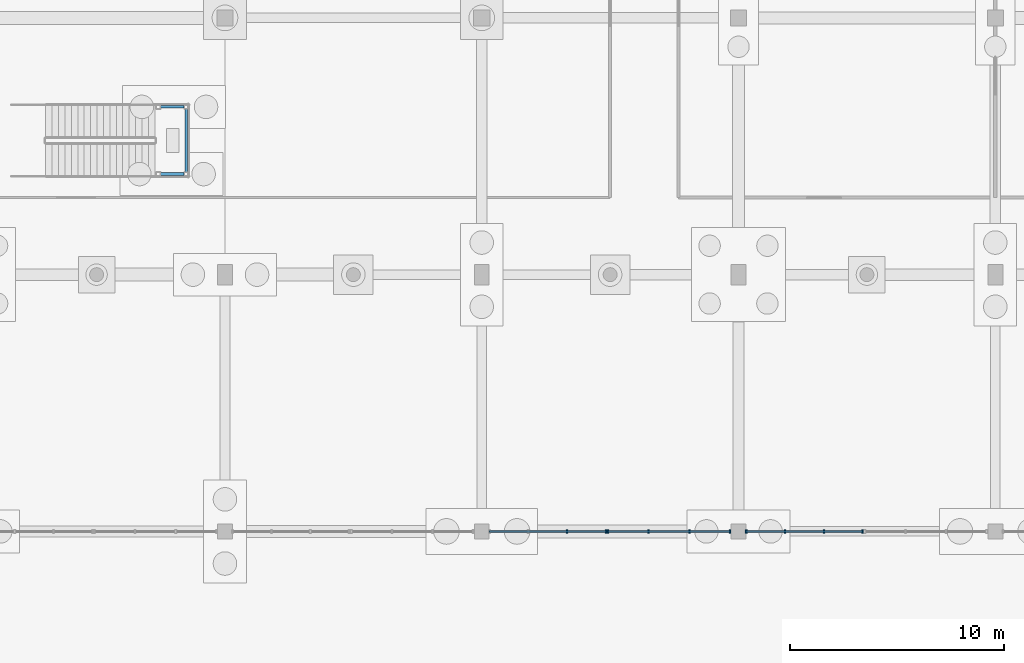
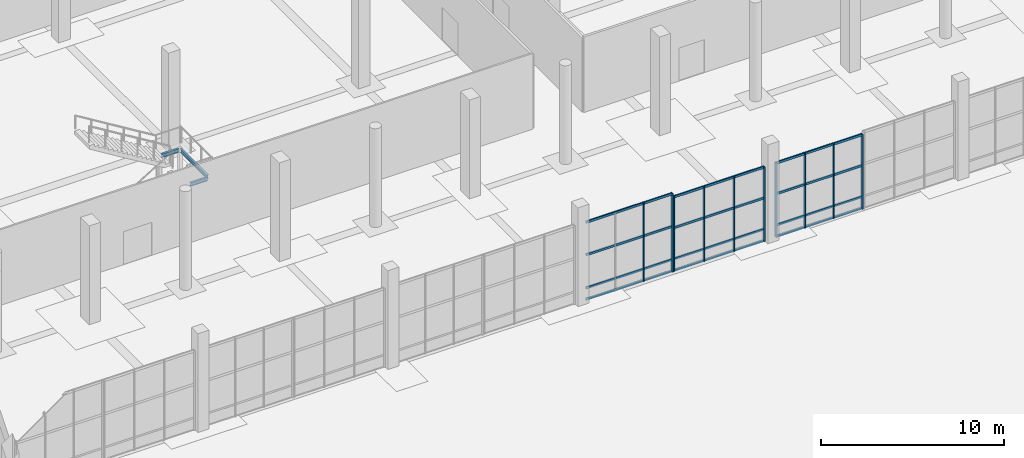
# One storey, part 48 of 117: 22 members, 3 beams, 3 elements without a shape of their own.
"""IFC4 building model written with IfcOpenShell, lengths in metres."""

from ifc_helpers import new_model, si_unit, direction, frame, origin, origin_2d, place, context, subcontext, project, spatial, rectangle, i_section, extrude, material, material_profile, profile_set, type_object, element, aggregate, save


model = new_model("IFC4")

# Units and contexts
model_context = context("Model", 3, precision=1e-05, world=origin(), true_north=direction((0.0, 1.0)))
body_context = subcontext(model_context, "Body", "Model", "MODEL_VIEW")
ifc_project = project(units=[si_unit("LENGTHUNIT", "METRE"), si_unit("AREAUNIT", "SQUARE_METRE"), si_unit("VOLUMEUNIT", "CUBIC_METRE"), si_unit("PLANEANGLEUNIT", "RADIAN"), si_unit("MASSUNIT", "GRAM", prefix="KILO")], contexts=[model_context])

# Site, building, storey
site_placement = place(None, origin())
site = spatial("IfcSite", under=ifc_project, at=site_placement, CompositionType="ELEMENT")
building_placement = place(site_placement, origin())
building = spatial("IfcBuilding", under=site, at=building_placement, Name="Kamomehara Wholesale Market", CompositionType="ELEMENT")
storey_placement = place(building_placement, origin())
storey = spatial("IfcBuildingStorey", under=building, at=storey_placement, Name="L00", CompositionType="ELEMENT", Elevation=0.0)

# Beams
ifc_material_1 = material(Name="Steel SN400B", Category="steel")
ifc_material_profile_1 = material_profile(ifc_material_1, i_section(OverallWidth=0.125, OverallDepth=0.25, WebThickness=0.006103515625, FlangeThickness=0.009033203125, FilletRadius=0.008056640625, at=origin_2d()), Name="H-250x125x6x9")
ifc_profile_set_1 = profile_set([ifc_material_profile_1], Name="Steel SN400B")
beam_type = type_object("IfcBeamType", Name="BM-ST-H250", PredefinedType="JOIST", material=ifc_profile_set_1)
beam_placement = place(storey_placement, frame((94.18994140625, 112.800048828125, 2.97509765625), z_axis=(0.0, 1.0, 0.0), x_axis=(-1.0, 0.0, 0.0)))
element("IfcBeam", 1, at=beam_placement, inside=storey, type_object=beam_type, Name="Beam SJ-06 L00", PredefinedType="JOIST", context=body_context, shape_type="SweptSolid", body=[
    extrude(i_section(OverallWidth=0.125, OverallDepth=0.25, WebThickness=0.006103515625, FlangeThickness=0.009033203125, FilletRadius=0.008056640625, at=origin_2d()), origin(), (0.0, 0.0, 1.0), 2.93994140625),
])
for number, where, z_axis, x_axis, name in (
    (2, (92.989990234375, 112.699951171875, 2.97509765625), (1.0, 0.0, 0.0), (0.0, 1.0, 0.0), "Beam SJ-06 L00"),
    (3, (92.989990234375, 115.840087890625, 2.97509765625), (1.0, 0.0, 0.0), (0.0, 1.0, 0.0), "Beam SJ-06 L00"),
):
    element("IfcBeam", number, at=place(storey_placement, frame(where, z_axis=z_axis, x_axis=x_axis)), inside=storey, type_object=beam_type, Name=name, PredefinedType="JOIST", context=body_context, shape_type="SweptSolid", body=[
        extrude(i_section(OverallWidth=0.125, OverallDepth=0.25, WebThickness=0.006103515625, FlangeThickness=0.009033203125, FilletRadius=0.008056640625, at=origin_2d()), origin(), (0.0, 0.0, 1.0), 1.10009765625),
    ])

# Curtain wall, members
ifc_material_2 = material(Name="Anodised aluminium 6063-T5", Category="aluminium")
curtain_wall_type = type_object("IfcCurtainWallType", Name="CW-UN-03", PredefinedType="NOTDEFINED", material=ifc_material_2)
curtain_wall_1_placement = place(storey_placement, origin())
curtain_wall_1 = element("IfcCurtainWall", 4, at=curtain_wall_1_placement, inside=storey, type_object=curtain_wall_type, Name="Unitised curtain wall CW-021", PredefinedType="NOTDEFINED")
ifc_material_3 = material(Name="Anodised aluminium 6063-T5", Category="aluminium")
ifc_material_profile_2 = material_profile(ifc_material_3, rectangle(XDim=0.074951171875, YDim=0.179931640625, at=origin_2d()), Name="ALU-MUL-75x180")
ifc_profile_set_2 = profile_set([ifc_material_profile_2], Name="Anodised aluminium 6063-T5")
member_type_1 = type_object("IfcMemberType", Name="CW-MUL-180", PredefinedType="MULLION", material=ifc_profile_set_2)
member_1_placement = place(storey_placement, frame((119.60009765625, 96.0, 0.0), z_axis=(0.0, 0.0, 1.0), x_axis=(-1.0, 0.0, 0.0)))
member_1 = element("IfcMember", 5, at=member_1_placement, type_object=member_type_1, Name="Mullion CW-021.0", PredefinedType="MULLION", context=body_context, shape_type="SweptSolid", body=[
    extrude(rectangle(XDim=0.074951171875, YDim=0.179931640625, at=origin_2d()), origin(), (0.0, 0.0, 1.0), 4.97802734375),
])
member_2_placement = place(storey_placement, frame((117.699951171875, 96.0, 0.0), z_axis=(0.0, 0.0, 1.0), x_axis=(-1.0, 0.0, 0.0)))
member_2 = element("IfcMember", 6, at=member_2_placement, type_object=member_type_1, Name="Mullion CW-021.1", PredefinedType="MULLION", context=body_context, shape_type="SweptSolid", body=[
    extrude(rectangle(XDim=0.074951171875, YDim=0.179931640625, at=origin_2d()), origin(), (0.0, 0.0, 1.0), 4.97802734375),
])
member_3_placement = place(storey_placement, frame((115.800048828125, 96.0, 0.0), z_axis=(0.0, 0.0, 1.0), x_axis=(-1.0, 0.0, 0.0)))
member_3 = element("IfcMember", 7, at=member_3_placement, type_object=member_type_1, Name="Mullion CW-021.2", PredefinedType="MULLION", context=body_context, shape_type="SweptSolid", body=[
    extrude(rectangle(XDim=0.074951171875, YDim=0.179931640625, at=origin_2d()), origin(), (0.0, 0.0, 1.0), 4.97802734375),
])
member_4_placement = place(storey_placement, frame((113.89990234375, 96.0, 0.0), z_axis=(0.0, 0.0, 1.0), x_axis=(-1.0, 0.0, 0.0)))
member_4 = element("IfcMember", 8, at=member_4_placement, type_object=member_type_1, Name="Mullion CW-021.3", PredefinedType="MULLION", context=body_context, shape_type="SweptSolid", body=[
    extrude(rectangle(XDim=0.074951171875, YDim=0.179931640625, at=origin_2d()), origin(), (0.0, 0.0, 1.0), 4.97802734375),
])

curtain_wall_2_placement = place(storey_placement, origin())
curtain_wall_2 = element("IfcCurtainWall", 9, at=curtain_wall_2_placement, inside=storey, type_object=curtain_wall_type, Name="Unitised curtain wall CW-022", PredefinedType="NOTDEFINED")
member_5_placement = place(storey_placement, frame((113.800048828125, 96.0, 0.0), z_axis=(0.0, 0.0, 1.0), x_axis=(-1.0, 0.0, 0.0)))
member_5 = element("IfcMember", 10, at=member_5_placement, type_object=member_type_1, Name="Mullion CW-022.0", PredefinedType="MULLION", context=body_context, shape_type="SweptSolid", body=[
    extrude(rectangle(XDim=0.074951171875, YDim=0.179931640625, at=origin_2d()), origin(), (0.0, 0.0, 1.0), 5.22802734375),
])
member_6_placement = place(storey_placement, frame((111.987060546875, 96.0, 0.0), z_axis=(0.0, 0.0, 1.0), x_axis=(-1.0, 0.0, 0.0)))
member_6 = element("IfcMember", 11, at=member_6_placement, type_object=member_type_1, Name="Mullion CW-022.1", PredefinedType="MULLION", context=body_context, shape_type="SweptSolid", body=[
    extrude(rectangle(XDim=0.074951171875, YDim=0.179931640625, at=origin_2d()), origin(), (0.0, 0.0, 1.0), 5.22802734375),
])

curtain_wall_3_placement = place(storey_placement, origin())
curtain_wall_3 = element("IfcCurtainWall", 12, at=curtain_wall_3_placement, inside=storey, type_object=curtain_wall_type, Name="Unitised curtain wall CW-024", PredefinedType="NOTDEFINED")
member_7_placement = place(storey_placement, frame((125.800048828125, 96.0, 0.0), z_axis=(0.0, 0.0, 1.0), x_axis=(-1.0, 0.0, 0.0)))
member_7 = element("IfcMember", 13, at=member_7_placement, type_object=member_type_1, Name="Mullion CW-024.0", PredefinedType="MULLION", context=body_context, shape_type="SweptSolid", body=[
    extrude(rectangle(XDim=0.074951171875, YDim=0.179931640625, at=origin_2d()), origin(), (0.0, 0.0, 1.0), 4.97802734375),
])
member_8_placement = place(storey_placement, frame((123.987060546875, 96.0, 0.0), z_axis=(0.0, 0.0, 1.0), x_axis=(-1.0, 0.0, 0.0)))
member_8 = element("IfcMember", 14, at=member_8_placement, type_object=member_type_1, Name="Mullion CW-024.1", PredefinedType="MULLION", context=body_context, shape_type="SweptSolid", body=[
    extrude(rectangle(XDim=0.074951171875, YDim=0.179931640625, at=origin_2d()), origin(), (0.0, 0.0, 1.0), 4.97802734375),
])
member_9_placement = place(storey_placement, frame((122.173095703125, 96.0, 0.0), z_axis=(0.0, 0.0, 1.0), x_axis=(-1.0, 0.0, 0.0)))
member_9 = element("IfcMember", 15, at=member_9_placement, type_object=member_type_1, Name="Mullion CW-024.2", PredefinedType="MULLION", context=body_context, shape_type="SweptSolid", body=[
    extrude(rectangle(XDim=0.074951171875, YDim=0.179931640625, at=origin_2d()), origin(), (0.0, 0.0, 1.0), 4.97802734375),
])
member_10_placement = place(storey_placement, frame((120.360107421875, 96.0, 0.0), z_axis=(0.0, 0.0, 1.0), x_axis=(-1.0, 0.0, 0.0)))
member_10 = element("IfcMember", 16, at=member_10_placement, type_object=member_type_1, Name="Mullion CW-024.3", PredefinedType="MULLION", context=body_context, shape_type="SweptSolid", body=[
    extrude(rectangle(XDim=0.074951171875, YDim=0.179931640625, at=origin_2d()), origin(), (0.0, 0.0, 1.0), 4.97802734375),
])

# Member
ifc_material_4 = material(Name="Anodised aluminium 6063-T5", Category="aluminium")
ifc_material_profile_3 = material_profile(ifc_material_4, rectangle(XDim=0.074951171875, YDim=0.14990234375, at=origin_2d()), Name="ALU-TRN-75x150")
ifc_profile_set_3 = profile_set([ifc_material_profile_3], Name="Anodised aluminium 6063-T5")
member_type_2 = type_object("IfcMemberType", Name="CW-TRN-150", PredefinedType="USERDEFINED", material=ifc_profile_set_3)
member_11_placement = place(storey_placement, frame((119.60009765625, 96.0, 0.0400390625), z_axis=(-1.0, 0.0, 0.0), x_axis=(0.0, -1.0, 0.0)))
member_11 = element("IfcMember", 17, at=member_11_placement, type_object=member_type_2, Name="Transom CW-021.0", ObjectType="TRANSOM", PredefinedType="USERDEFINED", context=body_context, shape_type="SweptSolid", body=[
    extrude(rectangle(XDim=0.074951171875, YDim=0.14990234375, at=origin_2d()), origin(), (0.0, 0.0, 1.0), 5.7001953125),
])

member_12_placement = place(storey_placement, frame((119.60009765625, 96.0, 0.800048828125), z_axis=(-1.0, 0.0, 0.0), x_axis=(0.0, -1.0, 0.0)))
member_12 = element("IfcMember", 18, at=member_12_placement, type_object=member_type_2, Name="Transom CW-021.1", ObjectType="TRANSOM", PredefinedType="USERDEFINED", context=body_context, shape_type="SweptSolid", body=[
    extrude(rectangle(XDim=0.074951171875, YDim=0.14990234375, at=origin_2d()), origin(), (0.0, 0.0, 1.0), 5.7001953125),
])

member_13_placement = place(storey_placement, frame((119.60009765625, 96.0, 2.888916015625), z_axis=(-1.0, 0.0, 0.0), x_axis=(0.0, -1.0, 0.0)))
member_13 = element("IfcMember", 19, at=member_13_placement, type_object=member_type_2, Name="Transom CW-021.2", ObjectType="TRANSOM", PredefinedType="USERDEFINED", context=body_context, shape_type="SweptSolid", body=[
    extrude(rectangle(XDim=0.074951171875, YDim=0.14990234375, at=origin_2d()), origin(), (0.0, 0.0, 1.0), 5.7001953125),
])

member_14_placement = place(storey_placement, frame((119.60009765625, 96.0, 4.93798828125), z_axis=(-1.0, 0.0, 0.0), x_axis=(0.0, -1.0, 0.0)))
member_14 = element("IfcMember", 20, at=member_14_placement, type_object=member_type_2, Name="Transom CW-021.3", ObjectType="TRANSOM", PredefinedType="USERDEFINED", context=body_context, shape_type="SweptSolid", body=[
    extrude(rectangle(XDim=0.074951171875, YDim=0.14990234375, at=origin_2d()), origin(), (0.0, 0.0, 1.0), 5.7001953125),
])

aggregate(curtain_wall_1, [member_1, member_2, member_3, member_4, member_11, member_12, member_13, member_14])

member_15_placement = place(storey_placement, frame((113.800048828125, 96.0, 0.0400390625), z_axis=(-1.0, 0.0, 0.0), x_axis=(0.0, -1.0, 0.0)))
member_15 = element("IfcMember", 21, at=member_15_placement, type_object=member_type_2, Name="Transom CW-022.0", ObjectType="TRANSOM", PredefinedType="USERDEFINED", context=body_context, shape_type="SweptSolid", body=[
    extrude(rectangle(XDim=0.074951171875, YDim=0.14990234375, at=origin_2d()), origin(), (0.0, 0.0, 1.0), 5.43994140625),
])

member_16_placement = place(storey_placement, frame((113.800048828125, 96.0, 0.800048828125), z_axis=(-1.0, 0.0, 0.0), x_axis=(0.0, -1.0, 0.0)))
member_16 = element("IfcMember", 22, at=member_16_placement, type_object=member_type_2, Name="Transom CW-022.1", ObjectType="TRANSOM", PredefinedType="USERDEFINED", context=body_context, shape_type="SweptSolid", body=[
    extrude(rectangle(XDim=0.074951171875, YDim=0.14990234375, at=origin_2d()), origin(), (0.0, 0.0, 1.0), 5.43994140625),
])

member_17_placement = place(storey_placement, frame((113.800048828125, 96.0, 3.013916015625), z_axis=(-1.0, 0.0, 0.0), x_axis=(0.0, -1.0, 0.0)))
member_17 = element("IfcMember", 23, at=member_17_placement, type_object=member_type_2, Name="Transom CW-022.2", ObjectType="TRANSOM", PredefinedType="USERDEFINED", context=body_context, shape_type="SweptSolid", body=[
    extrude(rectangle(XDim=0.074951171875, YDim=0.14990234375, at=origin_2d()), origin(), (0.0, 0.0, 1.0), 5.43994140625),
])

member_18_placement = place(storey_placement, frame((113.800048828125, 96.0, 5.18798828125), z_axis=(-1.0, 0.0, 0.0), x_axis=(0.0, -1.0, 0.0)))
member_18 = element("IfcMember", 24, at=member_18_placement, type_object=member_type_2, Name="Transom CW-022.3", ObjectType="TRANSOM", PredefinedType="USERDEFINED", context=body_context, shape_type="SweptSolid", body=[
    extrude(rectangle(XDim=0.074951171875, YDim=0.14990234375, at=origin_2d()), origin(), (0.0, 0.0, 1.0), 5.43994140625),
])

aggregate(curtain_wall_2, [member_5, member_6, member_15, member_16, member_17, member_18])

member_19_placement = place(storey_placement, frame((125.800048828125, 96.0, 0.0400390625), z_axis=(-1.0, 0.0, 0.0), x_axis=(0.0, -1.0, 0.0)))
member_19 = element("IfcMember", 25, at=member_19_placement, type_object=member_type_2, Name="Transom CW-024.0", ObjectType="TRANSOM", PredefinedType="USERDEFINED", context=body_context, shape_type="SweptSolid", body=[
    extrude(rectangle(XDim=0.074951171875, YDim=0.14990234375, at=origin_2d()), origin(), (0.0, 0.0, 1.0), 5.43994140625),
])

member_20_placement = place(storey_placement, frame((125.800048828125, 96.0, 0.800048828125), z_axis=(-1.0, 0.0, 0.0), x_axis=(0.0, -1.0, 0.0)))
member_20 = element("IfcMember", 26, at=member_20_placement, type_object=member_type_2, Name="Transom CW-024.1", ObjectType="TRANSOM", PredefinedType="USERDEFINED", context=body_context, shape_type="SweptSolid", body=[
    extrude(rectangle(XDim=0.074951171875, YDim=0.14990234375, at=origin_2d()), origin(), (0.0, 0.0, 1.0), 5.43994140625),
])

member_21_placement = place(storey_placement, frame((125.800048828125, 96.0, 2.888916015625), z_axis=(-1.0, 0.0, 0.0), x_axis=(0.0, -1.0, 0.0)))
member_21 = element("IfcMember", 27, at=member_21_placement, type_object=member_type_2, Name="Transom CW-024.2", ObjectType="TRANSOM", PredefinedType="USERDEFINED", context=body_context, shape_type="SweptSolid", body=[
    extrude(rectangle(XDim=0.074951171875, YDim=0.14990234375, at=origin_2d()), origin(), (0.0, 0.0, 1.0), 5.43994140625),
])

member_22_placement = place(storey_placement, frame((125.800048828125, 96.0, 4.93798828125), z_axis=(-1.0, 0.0, 0.0), x_axis=(0.0, -1.0, 0.0)))
member_22 = element("IfcMember", 28, at=member_22_placement, type_object=member_type_2, Name="Transom CW-024.3", ObjectType="TRANSOM", PredefinedType="USERDEFINED", context=body_context, shape_type="SweptSolid", body=[
    extrude(rectangle(XDim=0.074951171875, YDim=0.14990234375, at=origin_2d()), origin(), (0.0, 0.0, 1.0), 5.43994140625),
])

aggregate(curtain_wall_3, [member_7, member_8, member_9, member_10, member_19, member_20, member_21, member_22])

save(model, "model.ifc")
